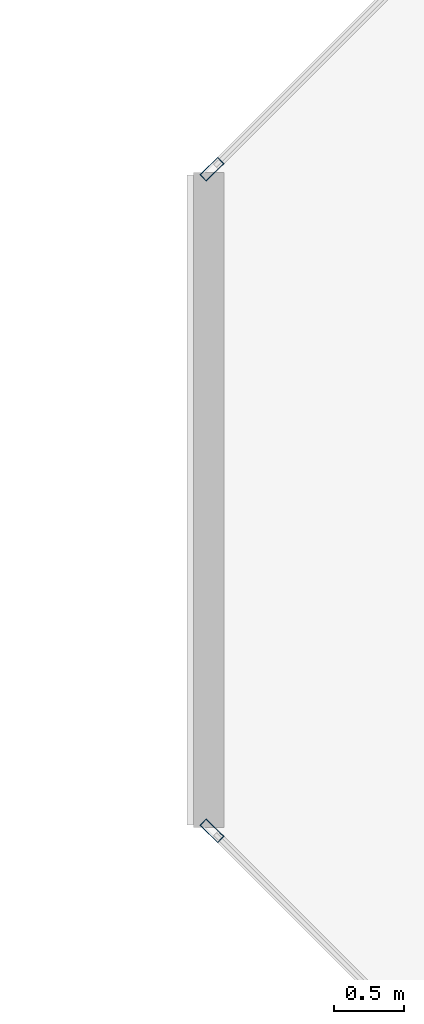
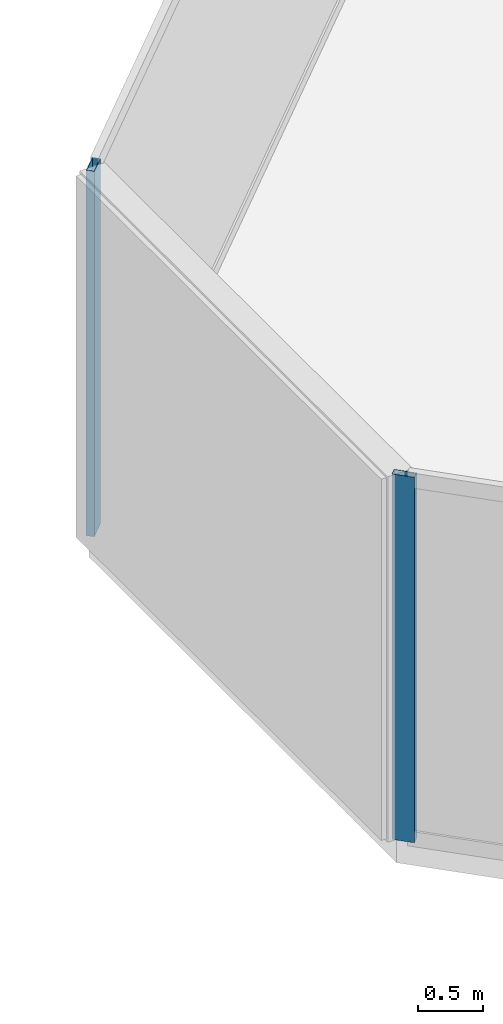
# One storey, part 7 of 28: 2 members, 2 elements without a shape of their own.
"""IFC4 building model written with IfcOpenShell, lengths in metres."""

from ifc_helpers import new_model, si_unit, direction, frame, origin, origin_2d, place, context, subcontext, project, spatial, hollow_rectangle, extrude, material, layer, layer_set, material_profile, profile_set, type_object, element, aggregate, save


model = new_model("IFC4")

# Units and contexts
model_context = context("Model", 3, precision=1e-05, world=origin(), true_north=direction((0.0, 1.0)))
body_context = subcontext(model_context, "Body", "Model", "MODEL_VIEW")
ifc_project = project(units=[si_unit("LENGTHUNIT", "METRE"), si_unit("AREAUNIT", "SQUARE_METRE"), si_unit("VOLUMEUNIT", "CUBIC_METRE"), si_unit("PLANEANGLEUNIT", "RADIAN"), si_unit("MASSUNIT", "GRAM", prefix="KILO")], contexts=[model_context])

# Site, building, storey
site_placement = place(None, origin())
site = spatial("IfcSite", under=ifc_project, at=site_placement, CompositionType="ELEMENT")
building_placement = place(site_placement, origin())
building = spatial("IfcBuilding", under=site, at=building_placement, Name="Tanjung Sevakor Pilgrim Tower", CompositionType="ELEMENT")
storey_placement = place(building_placement, frame((0.0, 0.0, 249.81005859375)))
storey = spatial("IfcBuildingStorey", under=building, at=storey_placement, Name="L70", CompositionType="ELEMENT", Elevation=249.81005859375)

# Curtain wall, member
ifc_material_1 = material(Name="Aluminium 6063-T6 and Low-E Glass", Category="aluminium")
ifc_layer = layer(ifc_material_1, 0.179931640625)
ifc_layer_set = layer_set([ifc_layer], Name="CW-SYS-CHAM")
curtain_wall_type = type_object("IfcCurtainWallType", Name="CW-SYS-CHAM", PredefinedType="NOTDEFINED", material=ifc_layer_set)
curtain_wall_1_placement = place(storey_placement, origin())
curtain_wall_1 = element("IfcCurtainWall", 1, at=curtain_wall_1_placement, inside=storey, type_object=curtain_wall_type, Name="L70 Curtain Wall CW-CHM-L70-EAST-5", PredefinedType="NOTDEFINED")
ifc_material_2 = material(Name="Aluminium 6063-T6", Category="aluminium")
ifc_material_profile = material_profile(ifc_material_2, hollow_rectangle(XDim=0.06494140625, YDim=0.179931640625, WallThickness=0.00390625, at=origin_2d()))
ifc_profile_set = profile_set([ifc_material_profile], Name="Aluminium 6063-T6")
member_type = type_object("IfcMemberType", Name="TYPE-CWM-1", PredefinedType="MULLION", material=ifc_profile_set)
member_1_placement = place(storey_placement, frame((52.23291015625, 35.977294921875, 0.0), z_axis=(0.0, 0.0, 1.0), x_axis=(0.707106781187, -0.707106781187, 0.0)))
member_1 = element("IfcMember", 2, at=member_1_placement, type_object=member_type, Name="CW-CHM mullion 2", PredefinedType="MULLION", context=body_context, shape_type="SweptSolid", body=[
    extrude(hollow_rectangle(XDim=0.06494140625, YDim=0.179931640625, WallThickness=0.00390625, at=origin_2d()), origin(), (0.0, 0.0, 1.0), 3.409912109375),
])
aggregate(curtain_wall_1, [member_1])

curtain_wall_2_placement = place(storey_placement, origin())
curtain_wall_2 = element("IfcCurtainWall", 3, at=curtain_wall_2_placement, inside=storey, type_object=curtain_wall_type, Name="L70 Curtain Wall CW-CHM-L70-EAST-7", PredefinedType="NOTDEFINED")
member_2_placement = place(storey_placement, frame((52.23291015625, 31.22265625, 0.0), z_axis=(0.0, 0.0, 1.0), x_axis=(0.707106781187, 0.707106781187, 0.0)))
member_2 = element("IfcMember", 4, at=member_2_placement, type_object=member_type, Name="CW-CHM mullion 1", PredefinedType="MULLION", context=body_context, shape_type="SweptSolid", body=[
    extrude(hollow_rectangle(XDim=0.06494140625, YDim=0.179931640625, WallThickness=0.00390625, at=origin_2d()), origin(), (0.0, 0.0, 1.0), 3.409912109375),
])
aggregate(curtain_wall_2, [member_2])

save(model, "model.ifc")
